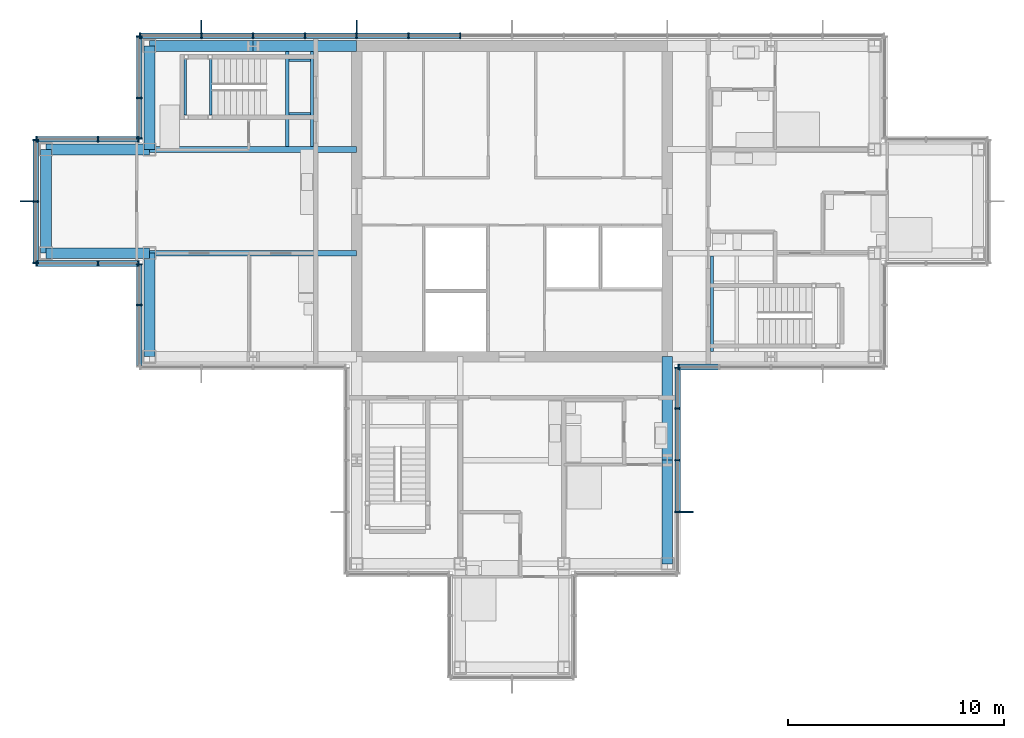
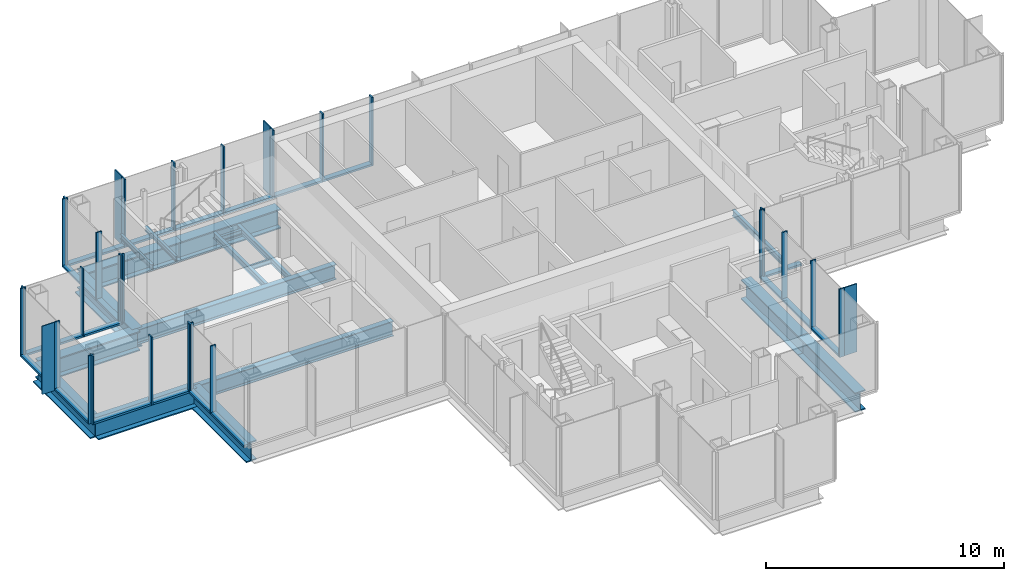
# One storey, part 6 of 15: 50 members, 18 beams, 8 elements without a shape of their own.
"""IFC4 building model written with IfcOpenShell, lengths in metres."""

from ifc_helpers import new_model, si_unit, direction, frame, origin, origin_2d, place, context, subcontext, project, spatial, rectangle, i_section, extrude, material, material_profile, profile_set, type_object, element, aggregate, save


model = new_model("IFC4")

# Units and contexts
model_context = context("Model", 3, precision=1e-05, world=origin(), true_north=direction((0.0, 1.0)))
body_context = subcontext(model_context, "Body", "Model", "MODEL_VIEW")
ifc_project = project(units=[si_unit("LENGTHUNIT", "METRE"), si_unit("AREAUNIT", "SQUARE_METRE"), si_unit("VOLUMEUNIT", "CUBIC_METRE"), si_unit("PLANEANGLEUNIT", "RADIAN"), si_unit("MASSUNIT", "GRAM", prefix="KILO")], contexts=[model_context])

# Site, building, storey
site_placement = place(None, origin())
site = spatial("IfcSite", under=ifc_project, at=site_placement, CompositionType="ELEMENT")
building_placement = place(site_placement, origin())
building = spatial("IfcBuilding", under=site, at=building_placement, Name="Kvirike Care Tower", CompositionType="ELEMENT")
storey_placement = place(building_placement, frame((0.0, 0.0, 219.0)))
storey = spatial("IfcBuildingStorey", under=building, at=storey_placement, Name="L60", CompositionType="ELEMENT", Elevation=219.0)

# Curtain wall, members
ifc_material_1 = material(Name="Anodised aluminium stick system", Category="aluminium")
curtain_wall_type = type_object("IfcCurtainWallType", Name="CW-D STICK CURTAIN WALL", PredefinedType="NOTDEFINED", material=ifc_material_1)
curtain_wall_1_placement = place(storey_placement, origin())
curtain_wall_1 = element("IfcCurtainWall", 1, at=curtain_wall_1_placement, inside=storey, type_object=curtain_wall_type, Name="Curtain wall L60 face 7", PredefinedType="NOTDEFINED")
ifc_material_2 = material(Name="Bronze anodised aluminium fin", Category="aluminium")
ifc_material_profile_1 = material_profile(ifc_material_2, rectangle(XDim=0.050048828125, YDim=0.60009765625, at=origin_2d()), Name="BRONZE FIN 600")
ifc_profile_set_1 = profile_set([ifc_material_profile_1], Name="Bronze anodised aluminium fin")
member_type_1 = type_object("IfcMemberType", Name="BRONZE FIN 600", PredefinedType="USERDEFINED", material=ifc_profile_set_1)
member_1_placement = place(storey_placement, frame((14.39990234375, 44.110107421875, 0.0), z_axis=(0.0, 0.0, 1.0), x_axis=(-1.0, 0.0, 0.0)))
member_1 = element("IfcMember", 2, at=member_1_placement, type_object=member_type_1, Name="Bronze fin L60 face 7.11", ObjectType="FIN", PredefinedType="USERDEFINED", context=body_context, shape_type="SweptSolid", body=[
    extrude(rectangle(XDim=0.050048828125, YDim=0.60009765625, at=origin_2d()), origin(), (0.0, 0.0, 1.0), 3.5),
])
member_2_placement = place(storey_placement, frame((7.199951171875, 44.110107421875, 0.0), z_axis=(0.0, 0.0, 1.0), x_axis=(-1.0, 0.0, 0.0)))
member_2 = element("IfcMember", 3, at=member_2_placement, type_object=member_type_1, Name="Bronze fin L60 face 7.14", ObjectType="FIN", PredefinedType="USERDEFINED", context=body_context, shape_type="SweptSolid", body=[
    extrude(rectangle(XDim=0.050048828125, YDim=0.60009765625, at=origin_2d()), origin(), (0.0, 0.0, 1.0), 3.5),
])

# Curtain wall, member
curtain_wall_2_placement = place(storey_placement, origin())
curtain_wall_2 = element("IfcCurtainWall", 4, at=curtain_wall_2_placement, inside=storey, type_object=curtain_wall_type, Name="Curtain wall L60 face 10", PredefinedType="NOTDEFINED")
member_3_placement = place(storey_placement, frame((-0.909912109375, 36.0, 0.0), z_axis=(0.0, 0.0, 1.0), x_axis=(0.0, -1.0, 0.0)))
member_3 = element("IfcMember", 5, at=member_3_placement, type_object=member_type_1, Name="Bronze fin L60 face 10.2", ObjectType="FIN", PredefinedType="USERDEFINED", context=body_context, shape_type="SweptSolid", body=[
    extrude(rectangle(XDim=0.050048828125, YDim=0.60009765625, at=origin_2d()), origin(), (0.0, 0.0, 1.0), 3.5),
])

curtain_wall_3_placement = place(storey_placement, origin())
curtain_wall_3 = element("IfcCurtainWall", 6, at=curtain_wall_3_placement, inside=storey, type_object=curtain_wall_type, Name="Curtain wall L60 face 20", PredefinedType="NOTDEFINED")
member_4_placement = place(storey_placement, frame((29.7099609375, 21.60009765625, 0.0), z_axis=(0.0, 0.0, 1.0), x_axis=(0.0, 1.0, 0.0)))
member_4 = element("IfcMember", 7, at=member_4_placement, type_object=member_type_1, Name="Bronze fin L60 face 20.2", ObjectType="FIN", PredefinedType="USERDEFINED", context=body_context, shape_type="SweptSolid", body=[
    extrude(rectangle(XDim=0.050048828125, YDim=0.60009765625, at=origin_2d()), origin(), (0.0, 0.0, 1.0), 3.5),
])

curtain_wall_4_placement = place(storey_placement, origin())
curtain_wall_4 = element("IfcCurtainWall", 8, at=curtain_wall_4_placement, inside=storey, type_object=curtain_wall_type, Name="Curtain wall L60 face 1", PredefinedType="NOTDEFINED")
ifc_material_3 = material(Name="Bronze anodised aluminium mullion", Category="aluminium")
ifc_material_profile_2 = material_profile(ifc_material_3, rectangle(XDim=0.06494140625, YDim=0.260009765625, at=origin_2d()), Name="CW-D MULLION 65x260")
ifc_profile_set_2 = profile_set([ifc_material_profile_2], Name="Bronze anodised aluminium mullion")
member_type_2 = type_object("IfcMemberType", Name="CW-D MULLION 65x260", PredefinedType="MULLION", material=ifc_profile_set_2)
member_5_placement = place(storey_placement, frame((29.3125, 28.320068359375, 0.0), z_axis=(0.0, 0.0, 1.0), x_axis=(1.0, 0.0, 0.0)))
member_5 = element("IfcMember", 9, at=member_5_placement, type_object=member_type_2, Name="CW-D mullion L60 face 1.1", PredefinedType="MULLION", context=body_context, shape_type="SweptSolid", body=[
    extrude(rectangle(XDim=0.06494140625, YDim=0.260009765625, at=origin_2d()), origin(), (0.0, 0.0, 1.0), 3.5),
])

# Member
member_6_placement = place(storey_placement, frame((19.199951171875, 43.679931640625, 0.0), z_axis=(0.0, 0.0, 1.0), x_axis=(-1.0, 0.0, 0.0)))
member_6 = element("IfcMember", 10, at=member_6_placement, type_object=member_type_2, Name="CW-D mullion L60 face 7.9", PredefinedType="MULLION", context=body_context, shape_type="SweptSolid", body=[
    extrude(rectangle(XDim=0.06494140625, YDim=0.260009765625, at=origin_2d()), origin(), (0.0, 0.0, 1.0), 3.5),
])

member_7_placement = place(storey_placement, frame((16.800048828125, 43.679931640625, 0.0), z_axis=(0.0, 0.0, 1.0), x_axis=(-1.0, 0.0, 0.0)))
member_7 = element("IfcMember", 11, at=member_7_placement, type_object=member_type_2, Name="CW-D mullion L60 face 7.10", PredefinedType="MULLION", context=body_context, shape_type="SweptSolid", body=[
    extrude(rectangle(XDim=0.06494140625, YDim=0.260009765625, at=origin_2d()), origin(), (0.0, 0.0, 1.0), 3.5),
])

member_8_placement = place(storey_placement, frame((14.39990234375, 43.679931640625, 0.0), z_axis=(0.0, 0.0, 1.0), x_axis=(-1.0, 0.0, 0.0)))
member_8 = element("IfcMember", 12, at=member_8_placement, type_object=member_type_2, Name="CW-D mullion L60 face 7.11", PredefinedType="MULLION", context=body_context, shape_type="SweptSolid", body=[
    extrude(rectangle(XDim=0.06494140625, YDim=0.260009765625, at=origin_2d()), origin(), (0.0, 0.0, 1.0), 3.5),
])

member_9_placement = place(storey_placement, frame((12.0, 43.679931640625, 0.0), z_axis=(0.0, 0.0, 1.0), x_axis=(-1.0, 0.0, 0.0)))
member_9 = element("IfcMember", 13, at=member_9_placement, type_object=member_type_2, Name="CW-D mullion L60 face 7.12", PredefinedType="MULLION", context=body_context, shape_type="SweptSolid", body=[
    extrude(rectangle(XDim=0.06494140625, YDim=0.260009765625, at=origin_2d()), origin(), (0.0, 0.0, 1.0), 3.5),
])

member_10_placement = place(storey_placement, frame((9.60009765625, 43.679931640625, 0.0), z_axis=(0.0, 0.0, 1.0), x_axis=(-1.0, 0.0, 0.0)))
member_10 = element("IfcMember", 14, at=member_10_placement, type_object=member_type_2, Name="CW-D mullion L60 face 7.13", PredefinedType="MULLION", context=body_context, shape_type="SweptSolid", body=[
    extrude(rectangle(XDim=0.06494140625, YDim=0.260009765625, at=origin_2d()), origin(), (0.0, 0.0, 1.0), 3.5),
])

member_11_placement = place(storey_placement, frame((7.199951171875, 43.679931640625, 0.0), z_axis=(0.0, 0.0, 1.0), x_axis=(-1.0, 0.0, 0.0)))
member_11 = element("IfcMember", 15, at=member_11_placement, type_object=member_type_2, Name="CW-D mullion L60 face 7.14", PredefinedType="MULLION", context=body_context, shape_type="SweptSolid", body=[
    extrude(rectangle(XDim=0.06494140625, YDim=0.260009765625, at=origin_2d()), origin(), (0.0, 0.0, 1.0), 3.5),
])

member_12_placement = place(storey_placement, frame((4.3525390625, 43.679931640625, 0.0), z_axis=(0.0, 0.0, 1.0), x_axis=(-1.0, 0.0, 0.0)))
member_12 = element("IfcMember", 16, at=member_12_placement, type_object=member_type_2, Name="CW-D mullion L60 face 7.15", PredefinedType="MULLION", context=body_context, shape_type="SweptSolid", body=[
    extrude(rectangle(XDim=0.06494140625, YDim=0.260009765625, at=origin_2d()), origin(), (0.0, 0.0, 1.0), 3.5),
])

# Curtain wall, members
curtain_wall_5_placement = place(storey_placement, origin())
curtain_wall_5 = element("IfcCurtainWall", 17, at=curtain_wall_5_placement, inside=storey, type_object=curtain_wall_type, Name="Curtain wall L60 face 8", PredefinedType="NOTDEFINED")
member_13_placement = place(storey_placement, frame((4.320068359375, 43.6474609375, 0.0), z_axis=(0.0, 0.0, 1.0), x_axis=(0.0, -1.0, 0.0)))
member_13 = element("IfcMember", 18, at=member_13_placement, type_object=member_type_2, Name="CW-D mullion L60 face 8.1", PredefinedType="MULLION", context=body_context, shape_type="SweptSolid", body=[
    extrude(rectangle(XDim=0.06494140625, YDim=0.260009765625, at=origin_2d()), origin(), (0.0, 0.0, 1.0), 3.5),
])
member_14_placement = place(storey_placement, frame((4.320068359375, 40.800048828125, 0.0), z_axis=(0.0, 0.0, 1.0), x_axis=(0.0, -1.0, 0.0)))
member_14 = element("IfcMember", 19, at=member_14_placement, type_object=member_type_2, Name="CW-D mullion L60 face 8.2", PredefinedType="MULLION", context=body_context, shape_type="SweptSolid", body=[
    extrude(rectangle(XDim=0.06494140625, YDim=0.260009765625, at=origin_2d()), origin(), (0.0, 0.0, 1.0), 3.5),
])
member_15_placement = place(storey_placement, frame((4.320068359375, 38.91259765625, 0.0), z_axis=(0.0, 0.0, 1.0), x_axis=(0.0, -1.0, 0.0)))
member_15 = element("IfcMember", 20, at=member_15_placement, type_object=member_type_2, Name="CW-D mullion L60 face 8.3", PredefinedType="MULLION", context=body_context, shape_type="SweptSolid", body=[
    extrude(rectangle(XDim=0.06494140625, YDim=0.260009765625, at=origin_2d()), origin(), (0.0, 0.0, 1.0), 3.5),
])

curtain_wall_6_placement = place(storey_placement, origin())
curtain_wall_6 = element("IfcCurtainWall", 21, at=curtain_wall_6_placement, inside=storey, type_object=curtain_wall_type, Name="Curtain wall L60 face 9", PredefinedType="NOTDEFINED")
member_16_placement = place(storey_placement, frame((4.28759765625, 38.8798828125, 0.0), z_axis=(0.0, 0.0, 1.0), x_axis=(-1.0, 0.0, 0.0)))
member_16 = element("IfcMember", 22, at=member_16_placement, type_object=member_type_2, Name="CW-D mullion L60 face 9.1", PredefinedType="MULLION", context=body_context, shape_type="SweptSolid", body=[
    extrude(rectangle(XDim=0.06494140625, YDim=0.260009765625, at=origin_2d()), origin(), (0.0, 0.0, 1.0), 3.5),
])
member_17_placement = place(storey_placement, frame((2.39990234375, 38.8798828125, 0.0), z_axis=(0.0, 0.0, 1.0), x_axis=(-1.0, 0.0, 0.0)))
member_17 = element("IfcMember", 23, at=member_17_placement, type_object=member_type_2, Name="CW-D mullion L60 face 9.2", PredefinedType="MULLION", context=body_context, shape_type="SweptSolid", body=[
    extrude(rectangle(XDim=0.06494140625, YDim=0.260009765625, at=origin_2d()), origin(), (0.0, 0.0, 1.0), 3.5),
])
member_18_placement = place(storey_placement, frame((-0.447509765625, 38.8798828125, 0.0), z_axis=(0.0, 0.0, 1.0), x_axis=(-1.0, 0.0, 0.0)))
member_18 = element("IfcMember", 24, at=member_18_placement, type_object=member_type_2, Name="CW-D mullion L60 face 9.3", PredefinedType="MULLION", context=body_context, shape_type="SweptSolid", body=[
    extrude(rectangle(XDim=0.06494140625, YDim=0.260009765625, at=origin_2d()), origin(), (0.0, 0.0, 1.0), 3.5),
])

# Member
member_19_placement = place(storey_placement, frame((-0.47998046875, 38.847412109375, 0.0), z_axis=(0.0, 0.0, 1.0), x_axis=(0.0, -1.0, 0.0)))
member_19 = element("IfcMember", 25, at=member_19_placement, type_object=member_type_2, Name="CW-D mullion L60 face 10.1", PredefinedType="MULLION", context=body_context, shape_type="SweptSolid", body=[
    extrude(rectangle(XDim=0.06494140625, YDim=0.260009765625, at=origin_2d()), origin(), (0.0, 0.0, 1.0), 3.5),
])

member_20_placement = place(storey_placement, frame((-0.47998046875, 36.0, 0.0), z_axis=(0.0, 0.0, 1.0), x_axis=(0.0, -1.0, 0.0)))
member_20 = element("IfcMember", 26, at=member_20_placement, type_object=member_type_2, Name="CW-D mullion L60 face 10.2", PredefinedType="MULLION", context=body_context, shape_type="SweptSolid", body=[
    extrude(rectangle(XDim=0.06494140625, YDim=0.260009765625, at=origin_2d()), origin(), (0.0, 0.0, 1.0), 3.5),
])

member_21_placement = place(storey_placement, frame((-0.47998046875, 33.152587890625, 0.0), z_axis=(0.0, 0.0, 1.0), x_axis=(0.0, -1.0, 0.0)))
member_21 = element("IfcMember", 27, at=member_21_placement, type_object=member_type_2, Name="CW-D mullion L60 face 10.3", PredefinedType="MULLION", context=body_context, shape_type="SweptSolid", body=[
    extrude(rectangle(XDim=0.06494140625, YDim=0.260009765625, at=origin_2d()), origin(), (0.0, 0.0, 1.0), 3.5),
])

# Curtain wall, members
curtain_wall_7_placement = place(storey_placement, origin())
curtain_wall_7 = element("IfcCurtainWall", 28, at=curtain_wall_7_placement, inside=storey, type_object=curtain_wall_type, Name="Curtain wall L60 face 11", PredefinedType="NOTDEFINED")
member_22_placement = place(storey_placement, frame((-0.447509765625, 33.1201171875, 0.0), z_axis=(0.0, 0.0, 1.0), x_axis=(1.0, 0.0, 0.0)))
member_22 = element("IfcMember", 29, at=member_22_placement, type_object=member_type_2, Name="CW-D mullion L60 face 11.1", PredefinedType="MULLION", context=body_context, shape_type="SweptSolid", body=[
    extrude(rectangle(XDim=0.06494140625, YDim=0.260009765625, at=origin_2d()), origin(), (0.0, 0.0, 1.0), 3.5),
])
member_23_placement = place(storey_placement, frame((2.39990234375, 33.1201171875, 0.0), z_axis=(0.0, 0.0, 1.0), x_axis=(1.0, 0.0, 0.0)))
member_23 = element("IfcMember", 30, at=member_23_placement, type_object=member_type_2, Name="CW-D mullion L60 face 11.2", PredefinedType="MULLION", context=body_context, shape_type="SweptSolid", body=[
    extrude(rectangle(XDim=0.06494140625, YDim=0.260009765625, at=origin_2d()), origin(), (0.0, 0.0, 1.0), 3.5),
])
member_24_placement = place(storey_placement, frame((4.28759765625, 33.1201171875, 0.0), z_axis=(0.0, 0.0, 1.0), x_axis=(1.0, 0.0, 0.0)))
member_24 = element("IfcMember", 31, at=member_24_placement, type_object=member_type_2, Name="CW-D mullion L60 face 11.3", PredefinedType="MULLION", context=body_context, shape_type="SweptSolid", body=[
    extrude(rectangle(XDim=0.06494140625, YDim=0.260009765625, at=origin_2d()), origin(), (0.0, 0.0, 1.0), 3.5),
])

curtain_wall_8_placement = place(storey_placement, origin())
curtain_wall_8 = element("IfcCurtainWall", 32, at=curtain_wall_8_placement, inside=storey, type_object=curtain_wall_type, Name="Curtain wall L60 face 12", PredefinedType="NOTDEFINED")
member_25_placement = place(storey_placement, frame((4.320068359375, 33.08740234375, 0.0), z_axis=(0.0, 0.0, 1.0), x_axis=(0.0, -1.0, 0.0)))
member_25 = element("IfcMember", 33, at=member_25_placement, type_object=member_type_2, Name="CW-D mullion L60 face 12.1", PredefinedType="MULLION", context=body_context, shape_type="SweptSolid", body=[
    extrude(rectangle(XDim=0.06494140625, YDim=0.260009765625, at=origin_2d()), origin(), (0.0, 0.0, 1.0), 3.5),
])
member_26_placement = place(storey_placement, frame((4.320068359375, 31.199951171875, 0.0), z_axis=(0.0, 0.0, 1.0), x_axis=(0.0, -1.0, 0.0)))
member_26 = element("IfcMember", 34, at=member_26_placement, type_object=member_type_2, Name="CW-D mullion L60 face 12.2", PredefinedType="MULLION", context=body_context, shape_type="SweptSolid", body=[
    extrude(rectangle(XDim=0.06494140625, YDim=0.260009765625, at=origin_2d()), origin(), (0.0, 0.0, 1.0), 3.5),
])

# Member
member_27_placement = place(storey_placement, frame((29.280029296875, 21.60009765625, 0.0), z_axis=(0.0, 0.0, 1.0), x_axis=(0.0, 1.0, 0.0)))
member_27 = element("IfcMember", 35, at=member_27_placement, type_object=member_type_2, Name="CW-D mullion L60 face 20.2", PredefinedType="MULLION", context=body_context, shape_type="SweptSolid", body=[
    extrude(rectangle(XDim=0.06494140625, YDim=0.260009765625, at=origin_2d()), origin(), (0.0, 0.0, 1.0), 3.5),
])

member_28_placement = place(storey_placement, frame((29.280029296875, 24.0, 0.0), z_axis=(0.0, 0.0, 1.0), x_axis=(0.0, 1.0, 0.0)))
member_28 = element("IfcMember", 36, at=member_28_placement, type_object=member_type_2, Name="CW-D mullion L60 face 20.3", PredefinedType="MULLION", context=body_context, shape_type="SweptSolid", body=[
    extrude(rectangle(XDim=0.06494140625, YDim=0.260009765625, at=origin_2d()), origin(), (0.0, 0.0, 1.0), 3.5),
])

member_29_placement = place(storey_placement, frame((29.280029296875, 26.39990234375, 0.0), z_axis=(0.0, 0.0, 1.0), x_axis=(0.0, 1.0, 0.0)))
member_29 = element("IfcMember", 37, at=member_29_placement, type_object=member_type_2, Name="CW-D mullion L60 face 20.4", PredefinedType="MULLION", context=body_context, shape_type="SweptSolid", body=[
    extrude(rectangle(XDim=0.06494140625, YDim=0.260009765625, at=origin_2d()), origin(), (0.0, 0.0, 1.0), 3.5),
])

member_30_placement = place(storey_placement, frame((29.280029296875, 28.28759765625, 0.0), z_axis=(0.0, 0.0, 1.0), x_axis=(0.0, 1.0, 0.0)))
member_30 = element("IfcMember", 38, at=member_30_placement, type_object=member_type_2, Name="CW-D mullion L60 face 20.5", PredefinedType="MULLION", context=body_context, shape_type="SweptSolid", body=[
    extrude(rectangle(XDim=0.06494140625, YDim=0.260009765625, at=origin_2d()), origin(), (0.0, 0.0, 1.0), 3.5),
])

ifc_material_4 = material(Name="Bronze anodised aluminium transom", Category="aluminium")
ifc_material_profile_3 = material_profile(ifc_material_4, rectangle(XDim=0.260009765625, YDim=0.10009765625, at=origin_2d()), Name="CW-D TRANSOM 260x100")
ifc_profile_set_3 = profile_set([ifc_material_profile_3], Name="Bronze anodised aluminium transom")
member_type_3 = type_object("IfcMemberType", Name="CW-D TRANSOM 260x100", PredefinedType="USERDEFINED", material=ifc_profile_set_3)
member_31_placement = place(storey_placement, frame((29.344970703125, 28.320068359375, 0.050048828125), z_axis=(1.0, 0.0, 0.0), x_axis=(0.0, 1.0, 0.0)))
member_31 = element("IfcMember", 39, at=member_31_placement, type_object=member_type_3, Name="CW-D sill transom L60 face 1.1", ObjectType="TRANSOM", PredefinedType="USERDEFINED", context=body_context, shape_type="SweptSolid", body=[
    extrude(rectangle(XDim=0.260009765625, YDim=0.10009765625, at=origin_2d()), origin(), (0.0, 0.0, 1.0), 1.822509765625),
])

aggregate(curtain_wall_4, [member_5, member_31])

member_32_placement = place(storey_placement, frame((19.16748046875, 43.679931640625, 0.050048828125), z_axis=(-1.0, 0.0, 0.0), x_axis=(0.0, -1.0, 0.0)))
member_32 = element("IfcMember", 40, at=member_32_placement, type_object=member_type_3, Name="CW-D sill transom L60 face 7.9", ObjectType="TRANSOM", PredefinedType="USERDEFINED", context=body_context, shape_type="SweptSolid", body=[
    extrude(rectangle(XDim=0.260009765625, YDim=0.10009765625, at=origin_2d()), origin(), (0.0, 0.0, 1.0), 2.3349609375),
])

member_33_placement = place(storey_placement, frame((16.767578125, 43.679931640625, 0.050048828125), z_axis=(-1.0, 0.0, 0.0), x_axis=(0.0, -1.0, 0.0)))
member_33 = element("IfcMember", 41, at=member_33_placement, type_object=member_type_3, Name="CW-D sill transom L60 face 7.10", ObjectType="TRANSOM", PredefinedType="USERDEFINED", context=body_context, shape_type="SweptSolid", body=[
    extrude(rectangle(XDim=0.260009765625, YDim=0.10009765625, at=origin_2d()), origin(), (0.0, 0.0, 1.0), 2.3349609375),
])

member_34_placement = place(storey_placement, frame((14.367431640625, 43.679931640625, 0.050048828125), z_axis=(-1.0, 0.0, 0.0), x_axis=(0.0, -1.0, 0.0)))
member_34 = element("IfcMember", 42, at=member_34_placement, type_object=member_type_3, Name="CW-D sill transom L60 face 7.11", ObjectType="TRANSOM", PredefinedType="USERDEFINED", context=body_context, shape_type="SweptSolid", body=[
    extrude(rectangle(XDim=0.260009765625, YDim=0.10009765625, at=origin_2d()), origin(), (0.0, 0.0, 1.0), 2.3349609375),
])

member_35_placement = place(storey_placement, frame((11.967529296875, 43.679931640625, 0.050048828125), z_axis=(-1.0, 0.0, 0.0), x_axis=(0.0, -1.0, 0.0)))
member_35 = element("IfcMember", 43, at=member_35_placement, type_object=member_type_3, Name="CW-D sill transom L60 face 7.12", ObjectType="TRANSOM", PredefinedType="USERDEFINED", context=body_context, shape_type="SweptSolid", body=[
    extrude(rectangle(XDim=0.260009765625, YDim=0.10009765625, at=origin_2d()), origin(), (0.0, 0.0, 1.0), 2.3349609375),
])

member_36_placement = place(storey_placement, frame((9.5673828125, 43.679931640625, 0.050048828125), z_axis=(-1.0, 0.0, 0.0), x_axis=(0.0, -1.0, 0.0)))
member_36 = element("IfcMember", 44, at=member_36_placement, type_object=member_type_3, Name="CW-D sill transom L60 face 7.13", ObjectType="TRANSOM", PredefinedType="USERDEFINED", context=body_context, shape_type="SweptSolid", body=[
    extrude(rectangle(XDim=0.260009765625, YDim=0.10009765625, at=origin_2d()), origin(), (0.0, 0.0, 1.0), 2.3349609375),
])

member_37_placement = place(storey_placement, frame((7.16748046875, 43.679931640625, 0.050048828125), z_axis=(-1.0, 0.0, 0.0), x_axis=(0.0, -1.0, 0.0)))
member_37 = element("IfcMember", 45, at=member_37_placement, type_object=member_type_3, Name="CW-D sill transom L60 face 7.14", ObjectType="TRANSOM", PredefinedType="USERDEFINED", context=body_context, shape_type="SweptSolid", body=[
    extrude(rectangle(XDim=0.260009765625, YDim=0.10009765625, at=origin_2d()), origin(), (0.0, 0.0, 1.0), 2.782470703125),
])

aggregate(curtain_wall_1, [member_6, member_7, member_8, member_1, member_9, member_10, member_11, member_2, member_12, member_32, member_33, member_34, member_35, member_36, member_37])

member_38_placement = place(storey_placement, frame((4.320068359375, 43.614990234375, 0.050048828125), z_axis=(0.0, -1.0, 0.0), x_axis=(1.0, 0.0, 0.0)))
member_38 = element("IfcMember", 46, at=member_38_placement, type_object=member_type_3, Name="CW-D sill transom L60 face 8.1", ObjectType="TRANSOM", PredefinedType="USERDEFINED", context=body_context, shape_type="SweptSolid", body=[
    extrude(rectangle(XDim=0.260009765625, YDim=0.10009765625, at=origin_2d()), origin(), (0.0, 0.0, 1.0), 2.782470703125),
])

member_39_placement = place(storey_placement, frame((4.320068359375, 40.767578125, 0.050048828125), z_axis=(0.0, -1.0, 0.0), x_axis=(1.0, 0.0, 0.0)))
member_39 = element("IfcMember", 47, at=member_39_placement, type_object=member_type_3, Name="CW-D sill transom L60 face 8.2", ObjectType="TRANSOM", PredefinedType="USERDEFINED", context=body_context, shape_type="SweptSolid", body=[
    extrude(rectangle(XDim=0.260009765625, YDim=0.10009765625, at=origin_2d()), origin(), (0.0, 0.0, 1.0), 1.822509765625),
])

aggregate(curtain_wall_5, [member_13, member_14, member_15, member_38, member_39])

member_40_placement = place(storey_placement, frame((4.2548828125, 38.8798828125, 0.050048828125), z_axis=(-1.0, 0.0, 0.0), x_axis=(0.0, -1.0, 0.0)))
member_40 = element("IfcMember", 48, at=member_40_placement, type_object=member_type_3, Name="CW-D sill transom L60 face 9.1", ObjectType="TRANSOM", PredefinedType="USERDEFINED", context=body_context, shape_type="SweptSolid", body=[
    extrude(rectangle(XDim=0.260009765625, YDim=0.10009765625, at=origin_2d()), origin(), (0.0, 0.0, 1.0), 1.822265625),
])

member_41_placement = place(storey_placement, frame((2.367431640625, 38.8798828125, 0.050048828125), z_axis=(-1.0, 0.0, 0.0), x_axis=(0.0, -1.0, 0.0)))
member_41 = element("IfcMember", 49, at=member_41_placement, type_object=member_type_3, Name="CW-D sill transom L60 face 9.2", ObjectType="TRANSOM", PredefinedType="USERDEFINED", context=body_context, shape_type="SweptSolid", body=[
    extrude(rectangle(XDim=0.260009765625, YDim=0.10009765625, at=origin_2d()), origin(), (0.0, 0.0, 1.0), 2.782470703125),
])

aggregate(curtain_wall_6, [member_16, member_17, member_18, member_40, member_41])

member_42_placement = place(storey_placement, frame((-0.47998046875, 38.81494140625, 0.050048828125), z_axis=(0.0, -1.0, 0.0), x_axis=(1.0, 0.0, 0.0)))
member_42 = element("IfcMember", 50, at=member_42_placement, type_object=member_type_3, Name="CW-D sill transom L60 face 10.1", ObjectType="TRANSOM", PredefinedType="USERDEFINED", context=body_context, shape_type="SweptSolid", body=[
    extrude(rectangle(XDim=0.260009765625, YDim=0.10009765625, at=origin_2d()), origin(), (0.0, 0.0, 1.0), 2.782470703125),
])

member_43_placement = place(storey_placement, frame((-0.47998046875, 35.967529296875, 0.050048828125), z_axis=(0.0, -1.0, 0.0), x_axis=(1.0, 0.0, 0.0)))
member_43 = element("IfcMember", 51, at=member_43_placement, type_object=member_type_3, Name="CW-D sill transom L60 face 10.2", ObjectType="TRANSOM", PredefinedType="USERDEFINED", context=body_context, shape_type="SweptSolid", body=[
    extrude(rectangle(XDim=0.260009765625, YDim=0.10009765625, at=origin_2d()), origin(), (0.0, 0.0, 1.0), 2.782470703125),
])

aggregate(curtain_wall_2, [member_19, member_20, member_3, member_21, member_42, member_43])

member_44_placement = place(storey_placement, frame((-0.4150390625, 33.1201171875, 0.050048828125), z_axis=(1.0, 0.0, 0.0), x_axis=(0.0, 1.0, 0.0)))
member_44 = element("IfcMember", 52, at=member_44_placement, type_object=member_type_3, Name="CW-D sill transom L60 face 11.1", ObjectType="TRANSOM", PredefinedType="USERDEFINED", context=body_context, shape_type="SweptSolid", body=[
    extrude(rectangle(XDim=0.260009765625, YDim=0.10009765625, at=origin_2d()), origin(), (0.0, 0.0, 1.0), 2.782470703125),
])

member_45_placement = place(storey_placement, frame((2.4326171875, 33.1201171875, 0.050048828125), z_axis=(1.0, 0.0, 0.0), x_axis=(0.0, 1.0, 0.0)))
member_45 = element("IfcMember", 53, at=member_45_placement, type_object=member_type_3, Name="CW-D sill transom L60 face 11.2", ObjectType="TRANSOM", PredefinedType="USERDEFINED", context=body_context, shape_type="SweptSolid", body=[
    extrude(rectangle(XDim=0.260009765625, YDim=0.10009765625, at=origin_2d()), origin(), (0.0, 0.0, 1.0), 1.822265625),
])

aggregate(curtain_wall_7, [member_22, member_23, member_24, member_44, member_45])

member_46_placement = place(storey_placement, frame((4.320068359375, 33.054931640625, 0.050048828125), z_axis=(0.0, -1.0, 0.0), x_axis=(1.0, 0.0, 0.0)))
member_46 = element("IfcMember", 54, at=member_46_placement, type_object=member_type_3, Name="CW-D sill transom L60 face 12.1", ObjectType="TRANSOM", PredefinedType="USERDEFINED", context=body_context, shape_type="SweptSolid", body=[
    extrude(rectangle(XDim=0.260009765625, YDim=0.10009765625, at=origin_2d()), origin(), (0.0, 0.0, 1.0), 1.822509765625),
])

member_47_placement = place(storey_placement, frame((4.320068359375, 31.16748046875, 0.050048828125), z_axis=(0.0, -1.0, 0.0), x_axis=(1.0, 0.0, 0.0)))
member_47 = element("IfcMember", 55, at=member_47_placement, type_object=member_type_3, Name="CW-D sill transom L60 face 12.2", ObjectType="TRANSOM", PredefinedType="USERDEFINED", context=body_context, shape_type="SweptSolid", body=[
    extrude(rectangle(XDim=0.260009765625, YDim=0.10009765625, at=origin_2d()), origin(), (0.0, 0.0, 1.0), 2.782470703125),
])

aggregate(curtain_wall_8, [member_25, member_26, member_46, member_47])

member_48_placement = place(storey_placement, frame((29.280029296875, 21.632568359375, 0.050048828125), z_axis=(0.0, 1.0, 0.0), x_axis=(-1.0, 0.0, 0.0)))
member_48 = element("IfcMember", 56, at=member_48_placement, type_object=member_type_3, Name="CW-D sill transom L60 face 20.2", ObjectType="TRANSOM", PredefinedType="USERDEFINED", context=body_context, shape_type="SweptSolid", body=[
    extrude(rectangle(XDim=0.260009765625, YDim=0.10009765625, at=origin_2d()), origin(), (0.0, 0.0, 1.0), 2.3349609375),
])

member_49_placement = place(storey_placement, frame((29.280029296875, 24.032470703125, 0.050048828125), z_axis=(0.0, 1.0, 0.0), x_axis=(-1.0, 0.0, 0.0)))
member_49 = element("IfcMember", 57, at=member_49_placement, type_object=member_type_3, Name="CW-D sill transom L60 face 20.3", ObjectType="TRANSOM", PredefinedType="USERDEFINED", context=body_context, shape_type="SweptSolid", body=[
    extrude(rectangle(XDim=0.260009765625, YDim=0.10009765625, at=origin_2d()), origin(), (0.0, 0.0, 1.0), 2.3349609375),
])

member_50_placement = place(storey_placement, frame((29.280029296875, 26.4326171875, 0.050048828125), z_axis=(0.0, 1.0, 0.0), x_axis=(-1.0, 0.0, 0.0)))
member_50 = element("IfcMember", 58, at=member_50_placement, type_object=member_type_3, Name="CW-D sill transom L60 face 20.4", ObjectType="TRANSOM", PredefinedType="USERDEFINED", context=body_context, shape_type="SweptSolid", body=[
    extrude(rectangle(XDim=0.260009765625, YDim=0.10009765625, at=origin_2d()), origin(), (0.0, 0.0, 1.0), 1.822265625),
])

aggregate(curtain_wall_3, [member_27, member_4, member_28, member_29, member_30, member_48, member_49, member_50])

# Beams
ifc_material_5 = material(Name="Steel S355", Category="steel")
ifc_material_profile_4 = material_profile(ifc_material_5, i_section(OverallWidth=0.26806640625, OverallDepth=0.77001953125, WebThickness=0.015625, FlangeThickness=0.025390625, FilletRadius=0.01708984375, at=origin_2d()), Name="IPE 750x196")
ifc_profile_set_4 = profile_set([ifc_material_profile_4], Name="Steel S355")
beam_type_1 = type_object("IfcBeamType", Name="FLOOR BEAM IPE 750x196", PredefinedType="BEAM", material=ifc_profile_set_4)
for number, where, z_axis, x_axis, name in (
    (59, (4.800048828125, 33.60009765625, -0.554931640625), (1.0, 0.0, 0.0), (0.0, 1.0, 0.0), "Floor Beam H4-H6 L60"),
    (60, (4.800048828125, 38.39990234375, -0.554931640625), (1.0, 0.0, 0.0), (0.0, 1.0, 0.0), "Floor Beam J4-J6 L60"),
):
    element("IfcBeam", number, at=place(storey_placement, frame(where, z_axis=z_axis, x_axis=x_axis)), inside=storey, type_object=beam_type_1, Name=name, PredefinedType="BEAM", context=body_context, shape_type="SweptSolid", body=[
        extrude(i_section(OverallWidth=0.26806640625, OverallDepth=0.77001953125, WebThickness=0.015625, FlangeThickness=0.025390625, FilletRadius=0.01708984375, at=origin_2d()), origin(), (0.0, 0.0, 1.0), 9.599853515625),
    ])
ifc_material_6 = material(Name="Steel S355", Category="steel")
ifc_material_profile_5 = material_profile(ifc_material_6, i_section(OverallWidth=0.5, OverallDepth=1.0, WebThickness=0.030029296875, FlangeThickness=0.06005859375, at=origin_2d()), Name="PG 1000x500x30x60")
ifc_profile_set_5 = profile_set([ifc_material_profile_5], Name="Steel S355")
beam_type_2 = type_object("IfcBeamType", Name="SPANDREL PG 1000x500x30x60", PredefinedType="SPANDREL", material=ifc_profile_set_5)
for number, where, z_axis, x_axis, name in (
    (61, (0.0, 33.60009765625, -0.669921875), (1.0, 0.0, 0.0), (0.0, 1.0, 0.0), "Spandrel H3-H4 L60"),
    (62, (0.0, 38.39990234375, -0.669921875), (1.0, 0.0, 0.0), (0.0, 1.0, 0.0), "Spandrel J3-J4 L60"),
    (63, (4.800048828125, 43.199951171875, -0.669921875), (1.0, 0.0, 0.0), (0.0, 1.0, 0.0), "Spandrel K4-K5 L60"),
):
    element("IfcBeam", number, at=place(storey_placement, frame(where, z_axis=z_axis, x_axis=x_axis)), inside=storey, type_object=beam_type_2, Name=name, PredefinedType="SPANDREL", context=body_context, shape_type="SweptSolid", body=[
        extrude(i_section(OverallWidth=0.5, OverallDepth=1.0, WebThickness=0.030029296875, FlangeThickness=0.06005859375, at=origin_2d()), origin(), (0.0, 0.0, 1.0), 4.800048828125),
    ])
for number, where, z_axis, x_axis, name in (
    (64, (9.60009765625, 43.199951171875, -0.669921875), (1.0, 0.0, 0.0), (0.0, 1.0, 0.0), "Spandrel K5-K6 L60"),
    (65, (0.0, 33.60009765625, -0.669921875), (0.0, 1.0, 0.0), (-1.0, 0.0, 0.0), "Spandrel H3-J3 L60"),
):
    element("IfcBeam", number, at=place(storey_placement, frame(where, z_axis=z_axis, x_axis=x_axis)), inside=storey, type_object=beam_type_2, Name=name, PredefinedType="SPANDREL", context=body_context, shape_type="SweptSolid", body=[
        extrude(i_section(OverallWidth=0.5, OverallDepth=1.0, WebThickness=0.030029296875, FlangeThickness=0.06005859375, at=origin_2d()), origin(), (0.0, 0.0, 1.0), 4.7998046875),
    ])
for number, where, z_axis, x_axis, name in (
    (66, (4.800048828125, 28.800048828125, -0.669921875), (0.0, 1.0, 0.0), (-1.0, 0.0, 0.0), "Spandrel G4-H4 L60"),
    (67, (4.800048828125, 38.39990234375, -0.669921875), (0.0, 1.0, 0.0), (-1.0, 0.0, 0.0), "Spandrel J4-K4 L60"),
    (68, (28.800048828125, 19.199951171875, -0.669921875), (0.0, 1.0, 0.0), (-1.0, 0.0, 0.0), "Spandrel E9-F9 L60"),
    (69, (28.800048828125, 24.0, -0.669921875), (0.0, 1.0, 0.0), (-1.0, 0.0, 0.0), "Spandrel F9-G9 L60"),
):
    element("IfcBeam", number, at=place(storey_placement, frame(where, z_axis=z_axis, x_axis=x_axis)), inside=storey, type_object=beam_type_2, Name=name, PredefinedType="SPANDREL", context=body_context, shape_type="SweptSolid", body=[
        extrude(i_section(OverallWidth=0.5, OverallDepth=1.0, WebThickness=0.030029296875, FlangeThickness=0.06005859375, at=origin_2d()), origin(), (0.0, 0.0, 1.0), 4.800048828125),
    ])
ifc_material_7 = material(Name="Steel S355", Category="steel")
ifc_material_profile_6 = material_profile(ifc_material_7, i_section(OverallWidth=0.1201171875, OverallDepth=0.239990234375, WebThickness=0.006103515625, FlangeThickness=0.009765625, FilletRadius=0.014892578125, at=origin_2d()), Name="IPE 240")
ifc_profile_set_6 = profile_set([ifc_material_profile_6], Name="Steel S355")
beam_type_3 = type_object("IfcBeamType", Name="STAIR LANDING BEAM IPE 240", PredefinedType="BEAM", material=ifc_profile_set_6)
for number, where, z_axis, x_axis, name in (
    (70, (6.4599609375, 42.60009765625, 1.429931640625), (0.0, -1.0, 0.0), (1.0, 0.0, 0.0), "Stair 1 landing beam back L60"),
    (71, (7.639892578125, 42.60009765625, 1.429931640625), (0.0, -1.0, 0.0), (1.0, 0.0, 0.0), "Stair 1 landing beam front L60"),
):
    element("IfcBeam", number, at=place(storey_placement, frame(where, z_axis=z_axis, x_axis=x_axis)), inside=storey, type_object=beam_type_3, Name=name, PredefinedType="BEAM", context=body_context, shape_type="SweptSolid", body=[
        extrude(i_section(OverallWidth=0.1201171875, OverallDepth=0.239990234375, WebThickness=0.006103515625, FlangeThickness=0.009765625, FilletRadius=0.014892578125, at=origin_2d()), origin(), (0.0, 0.0, 1.0), 2.60009765625),
    ])
for number, where, z_axis, x_axis, name in (
    (72, (11.25, 42.5400390625, -0.320068359375), (1.0, 0.0, 0.0), (0.0, 1.0, 0.0), "Stair 1 landing edge beam 1 L60"),
    (73, (11.25, 40.06005859375, -0.320068359375), (1.0, 0.0, 0.0), (0.0, 1.0, 0.0), "Stair 1 landing edge beam 2 L60"),
):
    element("IfcBeam", number, at=place(storey_placement, frame(where, z_axis=z_axis, x_axis=x_axis)), inside=storey, type_object=beam_type_3, Name=name, PredefinedType="BEAM", context=body_context, shape_type="SweptSolid", body=[
        extrude(i_section(OverallWidth=0.1201171875, OverallDepth=0.239990234375, WebThickness=0.006103515625, FlangeThickness=0.009765625, FilletRadius=0.014892578125, at=origin_2d()), origin(), (0.0, 0.0, 1.0), 1.0),
    ])
ifc_material_8 = material(Name="Steel S355", Category="steel")
ifc_material_profile_7 = material_profile(ifc_material_8, i_section(OverallWidth=0.14990234375, OverallDepth=0.300048828125, WebThickness=0.007080078125, FlangeThickness=0.0107421875, FilletRadius=0.014892578125, at=origin_2d()), Name="IPE 300")
ifc_profile_set_7 = profile_set([ifc_material_profile_7], Name="Steel S355")
beam_type_4 = type_object("IfcBeamType", Name="STAIR TRIMMER IPE 300", PredefinedType="BEAM", material=ifc_profile_set_7)
for number, where, z_axis, x_axis, name in (
    (74, (11.175048828125, 42.949951171875, -0.35009765625), (0.0, -1.0, 0.0), (1.0, 0.0, 0.0), "Stair 1 trimmer 1 L60"),
    (75, (12.324951171875, 42.949951171875, -0.35009765625), (0.0, -1.0, 0.0), (1.0, 0.0, 0.0), "Stair 1 trimmer 2 L60"),
    (76, (30.875, 29.050048828125, -0.35009765625), (0.0, 1.0, 0.0), (-1.0, 0.0, 0.0), "Stair 2 trimmer 2 L60"),
):
    element("IfcBeam", number, at=place(storey_placement, frame(where, z_axis=z_axis, x_axis=x_axis)), inside=storey, type_object=beam_type_4, Name=name, PredefinedType="BEAM", context=body_context, shape_type="SweptSolid", body=[
        extrude(i_section(OverallWidth=0.14990234375, OverallDepth=0.300048828125, WebThickness=0.007080078125, FlangeThickness=0.0107421875, FilletRadius=0.014892578125, at=origin_2d()), origin(), (0.0, 0.0, 1.0), 4.416015625),
    ])

save(model, "model.ifc")
